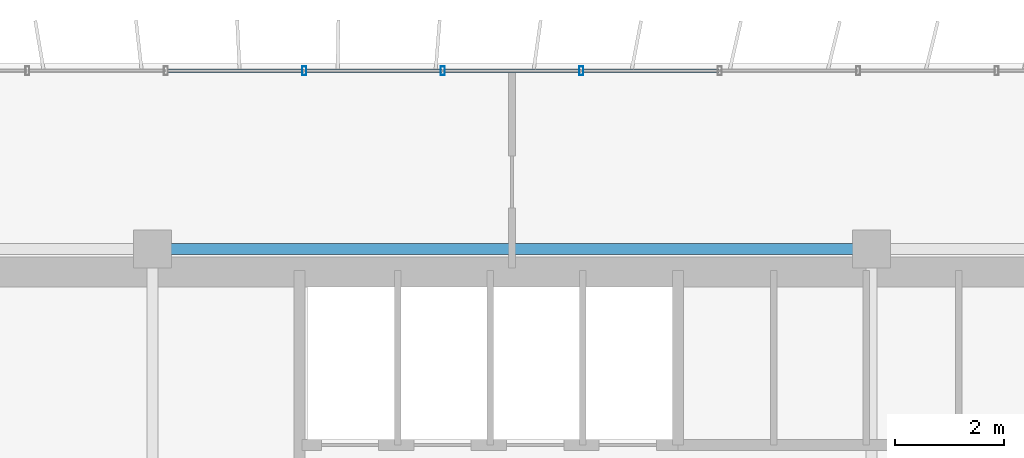
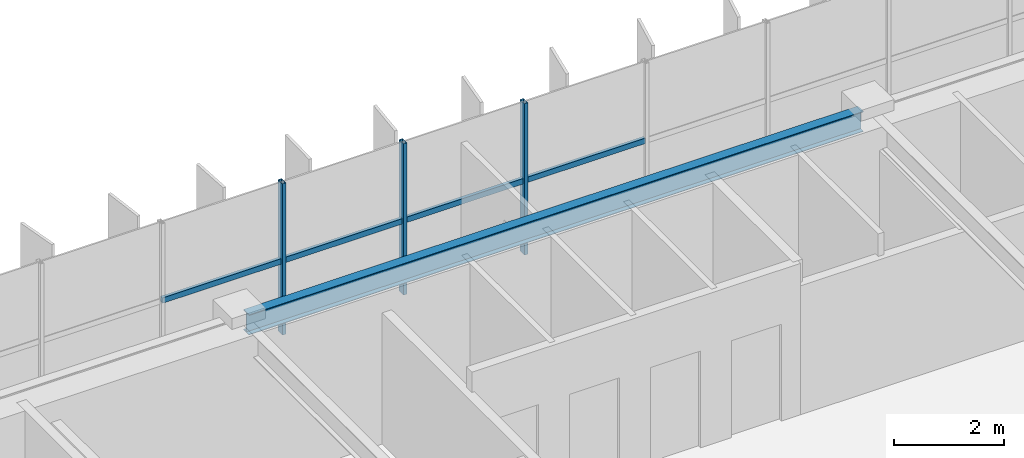
# One storey, part 20 of 35: 7 members, 1 beam, 1 element without a shape of its own.
"""IFC4 building model written with IfcOpenShell, lengths in metres."""

import ifcopenshell
import ifcopenshell.guid

model = None  # the IFC model being written
_history = None  # IfcOwnerHistory: only IFC2X3 demands one
_inside = {}  # id of a spatial element -> (the spatial element, [elements in it])
_under = {}  # id of a project, library or spatial element -> (it, [spatial elements below it])
_declared = {}  # id of a project -> (the project, [libraries it declares])
_typed = {}  # id of a type object -> (the type object, [elements of that type])
_made_of = {}  # id of a material, layer set ... -> (it, [elements and type objects made of it])


def new_model(schema):
    """Start an empty IFC model of exactly this schema.

    Asked for "IFC4X3", IfcOpenShell would pick the latest addendum, in which some entities
    have other attributes; the version numbers below select the first issue.
    IFC2X3 requires an IfcOwnerHistory on every rooted entity: one is made here for all.
    """
    global model, _history
    if schema == "IFC4X3":
        model = ifcopenshell.file(schema_version=(4, 3, 0, 0))
    else:
        model = ifcopenshell.file(schema=schema)
    _inside.clear()
    _under.clear()
    _declared.clear()
    _typed.clear()
    _made_of.clear()
    _history = None
    if model.schema == "IFC2X3":
        org = make("IfcOrganization", Name="unknown")
        user = make(
            "IfcPersonAndOrganization",
            ThePerson=make("IfcPerson", FamilyName="unknown"),
            TheOrganization=org,
        )
        app = make(
            "IfcApplication",
            ApplicationDeveloper=org,
            Version="unknown",
            ApplicationFullName="unknown",
            ApplicationIdentifier="unknown",
        )
        _history = make(
            "IfcOwnerHistory",
            OwningUser=user,
            OwningApplication=app,
            ChangeAction="ADDED",
            CreationDate=0,
        )
    return model


def make(cls, **values):
    """One entity of the class cls with the attributes given. An attribute that is None is left unset."""
    return model.create_entity(
        cls, **{name: value for name, value in values.items() if value is not None}
    )


def rooted(cls, **values):
    """An entity with a GlobalId (a new one), such as an element, a storey or a relation."""
    return make(cls, GlobalId=ifcopenshell.guid.new(), OwnerHistory=_history, **values)


def si_unit(unit_type, name, prefix=None):
    """IfcSIUnit, for example si_unit("LENGTHUNIT", "METRE", prefix="MILLI")."""
    return make("IfcSIUnit", UnitType=unit_type, Prefix=prefix, Name=name)


def assignment(units):
    """IfcUnitAssignment: the units of a project."""
    return None if units is None else make("IfcUnitAssignment", Units=units)


def point(xyz):
    """IfcCartesianPoint."""
    return None if xyz is None else make("IfcCartesianPoint", Coordinates=xyz)


def direction(xyz):
    """IfcDirection."""
    return None if xyz is None else make("IfcDirection", DirectionRatios=xyz)


def frame(location, z_axis=None, x_axis=None):
    """IfcAxis2Placement3D, a coordinate frame: its origin and axes. An axis left out is left unset."""
    return make(
        "IfcAxis2Placement3D",
        Location=point(location),
        Axis=direction(z_axis),
        RefDirection=direction(x_axis),
    )


def frame_2d(location, x_axis=None):
    """IfcAxis2Placement2D, a coordinate frame in the plane: its origin and x axis."""
    return make(
        "IfcAxis2Placement2D", Location=point(location), RefDirection=direction(x_axis)
    )


def origin():
    """The frame at (0, 0, 0) with its axes left unset."""
    return frame((0.0, 0.0, 0.0))


def origin_2d():
    """The frame at (0, 0) in the plane with its x axis left unset."""
    return frame_2d((0.0, 0.0))


def place(relative_to, where):
    """IfcLocalPlacement: puts the frame where relative to a parent placement (None: the world)."""
    return make(
        "IfcLocalPlacement", PlacementRelTo=relative_to, RelativePlacement=where
    )


def context(
    kind, dimensions, precision=None, world=None, true_north=None, identifier=None
):
    """IfcGeometricRepresentationContext, for example the 3D "Model" context."""
    return make(
        "IfcGeometricRepresentationContext",
        ContextIdentifier=identifier,
        ContextType=kind,
        CoordinateSpaceDimension=dimensions,
        Precision=precision,
        WorldCoordinateSystem=world,
        TrueNorth=true_north,
    )


def subcontext(parent, identifier, kind, view, scale=None):
    """IfcGeometricRepresentationSubContext, for example "Body" below "Model"."""
    return make(
        "IfcGeometricRepresentationSubContext",
        ContextIdentifier=identifier,
        ContextType=kind,
        ParentContext=parent,
        TargetScale=scale,
        TargetView=view,
    )


def project(units=None, contexts=None):
    """IfcProject with its units and contexts."""
    return rooted(
        "IfcProject",
        Name="project",
        RepresentationContexts=contexts,
        UnitsInContext=assignment(units),
    )


def spatial(cls, under=None, at=None, **own):
    """A site, building, storey or space (cls), placed at a placement, below another one or the project."""
    s = rooted(cls, ObjectPlacement=at, **own)
    if under is not None:
        _under.setdefault(under.id(), (under, []))[1].append(s)
    return s


def profile(cls, at=None, kind="AREA", **sizes):
    """A parametric profile (cls). Its sizes go by their IFC names, for example OverallWidth=200.0."""
    return make(cls, ProfileType=kind, Position=at, **sizes)


def hollow_rectangle(**sizes):
    """IfcRectangleHollowProfileDef."""
    return profile("IfcRectangleHollowProfileDef", **sizes)


def i_section(**sizes):
    """IfcIShapeProfileDef."""
    return profile("IfcIShapeProfileDef", **sizes)


def extrude(swept, where, along, depth):
    """IfcExtrudedAreaSolid: the profile swept, set in the frame where, extruded along a direction by depth."""
    return make(
        "IfcExtrudedAreaSolid",
        SweptArea=swept,
        Position=where,
        ExtrudedDirection=direction(along),
        Depth=depth,
    )


def shape(context_of_items, identifier, shape_type, items):
    """IfcShapeRepresentation: the items that make up one representation, for example the "Body"."""
    return make(
        "IfcShapeRepresentation",
        ContextOfItems=context_of_items,
        RepresentationIdentifier=identifier,
        RepresentationType=shape_type,
        Items=items,
    )


def source(mapping_origin, context_of_items, identifier, shape_type, items):
    """IfcRepresentationMap: a shape defined once, which mapped items show again and again."""
    return make(
        "IfcRepresentationMap",
        MappingOrigin=mapping_origin,
        MappedRepresentation=shape(context_of_items, identifier, shape_type, items),
    )


def transform(
    local_origin,
    x_axis=None,
    y_axis=None,
    z_axis=None,
    scale=None,
    scale2=None,
    scale3=None,
    uniform=True,
):
    """IfcCartesianTransformationOperator3D, or its non-uniform kind. x_axis, y_axis, z_axis: its Axis1, 2, 3."""
    if uniform:
        return make(
            "IfcCartesianTransformationOperator3D",
            Axis1=direction(x_axis),
            Axis2=direction(y_axis),
            LocalOrigin=point(local_origin),
            Scale=scale,
            Axis3=direction(z_axis),
        )
    return make(
        "IfcCartesianTransformationOperator3DnonUniform",
        Axis1=direction(x_axis),
        Axis2=direction(y_axis),
        LocalOrigin=point(local_origin),
        Scale=scale,
        Axis3=direction(z_axis),
        Scale2=scale2,
        Scale3=scale3,
    )


def mapped(mapping_source, mapping_target):
    """IfcMappedItem: shows the shape of a source again, moved by a transform."""
    return make(
        "IfcMappedItem", MappingSource=mapping_source, MappingTarget=mapping_target
    )


def material(Name=None, Category=None):
    """IfcMaterial."""
    return make("IfcMaterial", Name=Name, Category=Category)


def material_profile(
    of_material, cross_section, Name=None, Category=None, Priority=None
):
    """IfcMaterialProfile: a cross section and its material."""
    return make(
        "IfcMaterialProfile",
        Name=Name,
        Material=of_material,
        Profile=cross_section,
        Priority=Priority,
        Category=Category,
    )


def profile_set(profiles, Name=None, composite=None):
    """IfcMaterialProfileSet."""
    return make(
        "IfcMaterialProfileSet",
        Name=Name,
        MaterialProfiles=profiles,
        CompositeProfile=composite,
    )


def made_of(thing, what):
    """Note that an element or type object is made of a material, layer set ...; save() writes the relation."""
    if what is not None:
        _made_of.setdefault(what.id(), (what, []))[1].append(thing)
    return thing


def type_object(cls, material=None, **own):
    """A type object (cls), such as IfcWallType, which elements share."""
    return made_of(rooted(cls, **own), material)


def element(
    cls,
    number,
    at=None,
    inside=None,
    cuts=None,
    type_object=None,
    material=None,
    context=None,
    identifier="Body",
    shape_type=None,
    held_by="IfcProductDefinitionShape",
    body=None,
    shapes=None,
    **own,
):
    """One element of the class cls, such as IfcWall. Its Tag is "e" and its number.

    at: its placement. inside: the storey or other place that contains it. cuts: it is an
    opening in that element (IfcRelVoidsElement). A single representation is given by context,
    identifier, shape_type and body (its items); several are given by shapes. held_by: the class
    of the entity that holds the representations. save() writes the other relations.
    """
    e = rooted(cls, Tag="e%d" % number, ObjectPlacement=at, **own)
    if body is not None:
        shapes = [shape(context, identifier, shape_type, body)]
    if shapes is not None:
        e.Representation = make(held_by, Representations=shapes)
    if inside is not None:
        _inside.setdefault(inside.id(), (inside, []))[1].append(e)
    if cuts is not None:
        rooted(
            "IfcRelVoidsElement", RelatingBuildingElement=cuts, RelatedOpeningElement=e
        )
    if type_object is not None:
        _typed.setdefault(type_object.id(), (type_object, []))[1].append(e)
    return made_of(e, material)


def aggregate(whole, parts):
    """IfcRelAggregates: a whole, such as a stair, and the parts it consists of."""
    return rooted("IfcRelAggregates", RelatingObject=whole, RelatedObjects=parts)


def save(model, path):
    """Write the relations noted so far, then the file.

    IfcRelAggregates (storeys below a building ...), IfcRelContainedInSpatialStructure (elements
    in a storey), IfcRelDefinesByType, IfcRelAssociatesMaterial and IfcRelDeclares: one each for
    every whole, place, type object, material and project.
    """
    for whole, parts in _under.values():
        aggregate(whole, parts)
    for where, things in _inside.values():
        rooted(
            "IfcRelContainedInSpatialStructure",
            RelatedElements=things,
            RelatingStructure=where,
        )
    for kind, things in _typed.values():
        rooted("IfcRelDefinesByType", RelatedObjects=things, RelatingType=kind)
    for what, things in _made_of.values():
        rooted("IfcRelAssociatesMaterial", RelatedObjects=things, RelatingMaterial=what)
    for by, libraries in _declared.values():
        rooted("IfcRelDeclares", RelatingContext=by, RelatedDefinitions=libraries)
    model.write(path)


model = new_model("IFC4")

# Units and contexts
model_context = context("Model", 3, precision=1e-05, world=origin(), true_north=direction((0.0, 1.0)))
body_context = subcontext(model_context, "Body", "Model", "MODEL_VIEW")
ifc_project = project(units=[si_unit("LENGTHUNIT", "METRE"), si_unit("AREAUNIT", "SQUARE_METRE"), si_unit("VOLUMEUNIT", "CUBIC_METRE"), si_unit("PLANEANGLEUNIT", "RADIAN"), si_unit("MASSUNIT", "GRAM", prefix="KILO")], contexts=[model_context])

# Site, building, storey
site_placement = place(None, origin())
site = spatial("IfcSite", under=ifc_project, at=site_placement, CompositionType="ELEMENT")
building_placement = place(site_placement, origin())
building = spatial("IfcBuilding", under=site, at=building_placement, Name="Trelvane Seafront Commons", CompositionType="ELEMENT")
storey_placement = place(building_placement, frame((0.0, 0.0, 194.10009765625)))
storey = spatial("IfcBuildingStorey", under=building, at=storey_placement, Name="L50", CompositionType="ELEMENT", Elevation=194.10009765625)

# Beam
ifc_material_1 = material(Name="Steel SM355 (S355)", Category="steel")
ifc_material_profile_1 = material_profile(ifc_material_1, i_section(OverallWidth=0.199951171875, OverallDepth=0.449951171875, WebThickness=0.009033203125, FlangeThickness=0.013916015625, at=origin_2d()), Name="H-450x200x9x14")
ifc_profile_set_1 = profile_set([ifc_material_profile_1], Name="Steel SM355 (S355)")
beam_type = type_object("IfcBeamType", Name="STR-SPD-H450", PredefinedType="SPANDREL", material=ifc_profile_set_1)
shared_shape_1 = source(origin(), body_context, "Body", "SweptSolid", [
    extrude(i_section(OverallWidth=0.199951171875, OverallDepth=0.449951171875, WebThickness=0.009033203125, FlangeThickness=0.013916015625, at=origin_2d()), origin(), (0.0, 0.0, 1.0), 12.89990234375),
])
beam_placement = place(storey_placement, frame((30.75, 45.10009765625, 3.135009765625), z_axis=(1.0, 0.0, 0.0), x_axis=(0.0, 1.0, 0.0)))
element("IfcBeam", 1, at=beam_placement, inside=storey, type_object=beam_type, Name="L50 Primary Girder G-25", PredefinedType="SPANDREL", context=body_context, shape_type="MappedRepresentation", body=[
    mapped(shared_shape_1, transform((0.0, 0.0, 0.0), x_axis=(1.0, 0.0, 0.0), y_axis=(0.0, 1.0, 0.0), z_axis=(0.0, 0.0, 1.0), scale=1.0)),
])

# Curtain wall, members
ifc_material_2 = material(Name="Anodised pale-silver aluminium", Category="aluminium")
curtain_wall_type = type_object("IfcCurtainWallType", Name="ARCH-CW5-UPTOWER", PredefinedType="NOTDEFINED", material=ifc_material_2)
curtain_wall_placement = place(storey_placement, origin())
curtain_wall = element("IfcCurtainWall", 2, at=curtain_wall_placement, inside=storey, type_object=curtain_wall_type, Name="CW-L50-0078", PredefinedType="NOTDEFINED")
ifc_material_profile_2 = material_profile(ifc_material_2, hollow_rectangle(XDim=0.070068359375, YDim=0.1201171875, WallThickness=0.00390625, at=origin_2d()), Name="TRAN-70x120x4")
ifc_profile_set_2 = profile_set([ifc_material_profile_2], Name="Anodised pale-silver aluminium")
member_type_1 = type_object("IfcMemberType", Name="ARCH-CW-TRAN-120", PredefinedType="USERDEFINED", material=ifc_profile_set_2)
shared_shape_2 = source(origin(), body_context, "Body", "SweptSolid", [
    extrude(hollow_rectangle(XDim=0.070068359375, YDim=0.1201171875, WallThickness=0.00390625, at=origin_2d()), origin(), (0.0, 0.0, 1.0), 2.51708984375),
])
member_1_placement = place(storey_placement, frame((30.859130859375, 48.3701171875, 1.61279296875), z_axis=(1.0, 0.0, 0.0), x_axis=(0.0, 1.0, 0.0)))
member_1 = element("IfcMember", 3, at=member_1_placement, type_object=member_type_1, Name="CW-L50-0078-T06", ObjectType="TRANSOM", PredefinedType="USERDEFINED", context=body_context, shape_type="MappedRepresentation", body=[
    mapped(shared_shape_2, transform((0.0, 0.0, 0.0), x_axis=(1.0, 0.0, 0.0), y_axis=(0.0, 1.0, 0.0), z_axis=(0.0, 0.0, 1.0), scale=1.0)),
])
member_2_placement = place(storey_placement, frame((35.94140625, 48.3701171875, 1.61279296875), z_axis=(1.0, 0.0, 0.0), x_axis=(0.0, 1.0, 0.0)))
member_2 = element("IfcMember", 4, at=member_2_placement, type_object=member_type_1, Name="CW-L50-0078-T08", ObjectType="TRANSOM", PredefinedType="USERDEFINED", context=body_context, shape_type="MappedRepresentation", body=[
    mapped(shared_shape_2, transform((0.0, 0.0, 0.0), x_axis=(1.0, 0.0, 0.0), y_axis=(0.0, 1.0, 0.0), z_axis=(0.0, 0.0, 1.0), scale=1.0)),
])
member_3_placement = place(storey_placement, frame((38.482666015625, 48.3701171875, 1.61279296875), z_axis=(1.0, 0.0, 0.0), x_axis=(0.0, 1.0, 0.0)))
member_3 = element("IfcMember", 5, at=member_3_placement, type_object=member_type_1, Name="CW-L50-0078-T09", ObjectType="TRANSOM", PredefinedType="USERDEFINED", context=body_context, shape_type="MappedRepresentation", body=[
    mapped(shared_shape_2, transform((0.0, 0.0, 0.0), x_axis=(1.0, 0.0, 0.0), y_axis=(0.0, 1.0, 0.0), z_axis=(0.0, 0.0, 1.0), scale=1.0)),
])
shared_shape_3 = source(origin(), body_context, "Body", "SweptSolid", [
    extrude(hollow_rectangle(XDim=0.070068359375, YDim=0.1201171875, WallThickness=0.00390625, at=origin_2d()), origin(), (0.0, 0.0, 1.0), 2.517333984375),
])
member_4_placement = place(storey_placement, frame((33.400146484375, 48.3701171875, 1.61279296875), z_axis=(1.0, 0.0, 0.0), x_axis=(0.0, 1.0, 0.0)))
member_4 = element("IfcMember", 6, at=member_4_placement, type_object=member_type_1, Name="CW-L50-0078-T07", ObjectType="TRANSOM", PredefinedType="USERDEFINED", context=body_context, shape_type="MappedRepresentation", body=[
    mapped(shared_shape_3, transform((0.0, 0.0, 0.0), x_axis=(1.0, 0.0, 0.0), y_axis=(0.0, 1.0, 0.0), z_axis=(0.0, 0.0, 1.0), scale=1.0)),
])
ifc_material_profile_3 = material_profile(ifc_material_2, hollow_rectangle(XDim=0.074951171875, YDim=0.159912109375, WallThickness=0.00390625, at=origin_2d()), Name="MULL-75x160x4")
ifc_profile_set_3 = profile_set([ifc_material_profile_3], Name="Anodised pale-silver aluminium")
member_type_2 = type_object("IfcMemberType", Name="ARCH-CW-MULL-160", PredefinedType="MULLION", material=ifc_profile_set_3)
shared_shape_4 = source(origin(), body_context, "Body", "SweptSolid", [
    extrude(hollow_rectangle(XDim=0.074951171875, YDim=0.159912109375, WallThickness=0.00390625, at=origin_2d()), origin(), (0.0, 0.0, 1.0), 3.35986328125),
])
member_5_placement = place(storey_placement, frame((33.38818359375, 48.3701171875, 0.0), z_axis=(0.0, 0.0, 1.0), x_axis=(1.0, 0.0, 0.0)))
member_5 = element("IfcMember", 7, at=member_5_placement, type_object=member_type_2, Name="CW-L50-0078-M07", PredefinedType="MULLION", context=body_context, shape_type="MappedRepresentation", body=[
    mapped(shared_shape_4, transform((0.0, 0.0, 0.0), x_axis=(1.0, 0.0, 0.0), y_axis=(0.0, 1.0, 0.0), z_axis=(0.0, 0.0, 1.0), scale=1.0)),
])
member_6_placement = place(storey_placement, frame((35.929443359375, 48.3701171875, 0.0), z_axis=(0.0, 0.0, 1.0), x_axis=(1.0, 0.0, 0.0)))
member_6 = element("IfcMember", 8, at=member_6_placement, type_object=member_type_2, Name="CW-L50-0078-M08", PredefinedType="MULLION", context=body_context, shape_type="MappedRepresentation", body=[
    mapped(shared_shape_4, transform((0.0, 0.0, 0.0), x_axis=(1.0, 0.0, 0.0), y_axis=(0.0, 1.0, 0.0), z_axis=(0.0, 0.0, 1.0), scale=1.0)),
])
member_7_placement = place(storey_placement, frame((38.470703125, 48.3701171875, 0.0), z_axis=(0.0, 0.0, 1.0), x_axis=(1.0, 0.0, 0.0)))
member_7 = element("IfcMember", 9, at=member_7_placement, type_object=member_type_2, Name="CW-L50-0078-M09", PredefinedType="MULLION", context=body_context, shape_type="MappedRepresentation", body=[
    mapped(shared_shape_4, transform((0.0, 0.0, 0.0), x_axis=(1.0, 0.0, 0.0), y_axis=(0.0, 1.0, 0.0), z_axis=(0.0, 0.0, 1.0), scale=1.0)),
])
aggregate(curtain_wall, [member_5, member_6, member_7, member_1, member_4, member_2, member_3])

save(model, "model.ifc")
